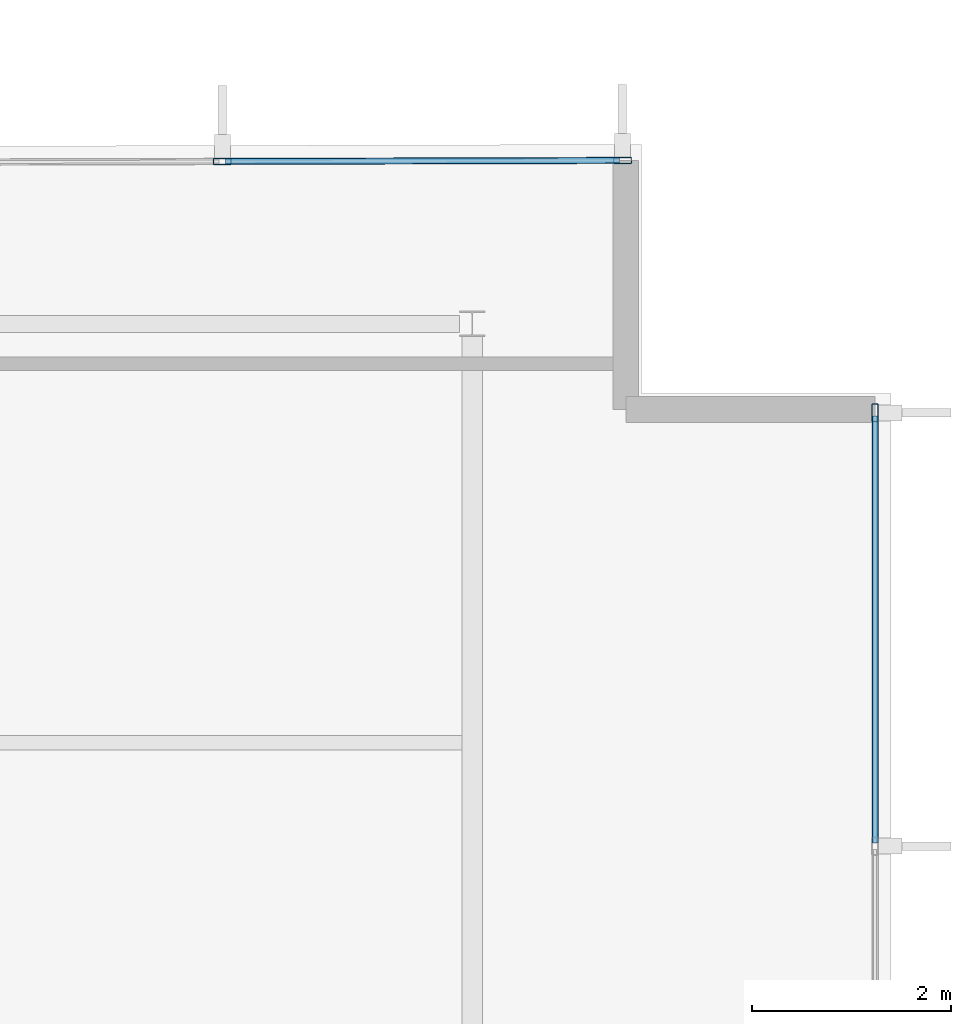
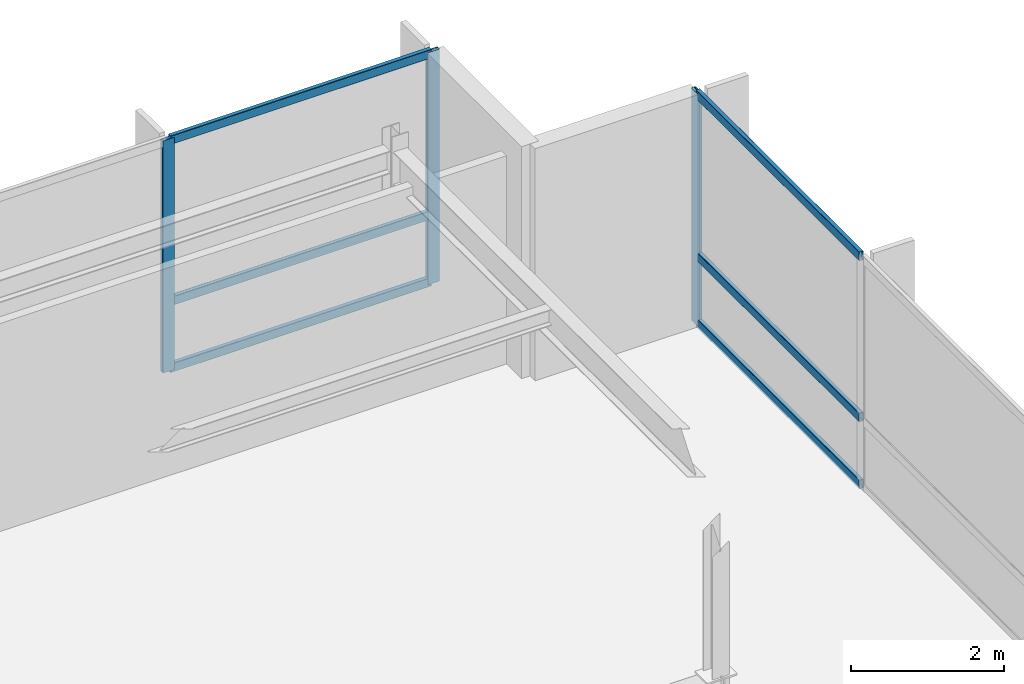
# One storey, part 11 of 19: 9 members, 2 elements without a shape of their own.
"""IFC4 building model written with IfcOpenShell, lengths in metres."""

from ifc_helpers import new_model, si_unit, direction, frame, origin, origin_2d, place, context, subcontext, project, spatial, hollow_rectangle, extrude, material, layer, layer_set, material_profile, profile_set, type_object, element, aggregate, save


model = new_model("IFC4")

# Units and contexts
model_context = context("Model", 3, precision=1e-05, world=origin(), true_north=direction((0.0, 1.0)))
body_context = subcontext(model_context, "Body", "Model", "MODEL_VIEW")
ifc_project = project(units=[si_unit("LENGTHUNIT", "METRE"), si_unit("AREAUNIT", "SQUARE_METRE"), si_unit("VOLUMEUNIT", "CUBIC_METRE"), si_unit("PLANEANGLEUNIT", "RADIAN"), si_unit("MASSUNIT", "GRAM", prefix="KILO")], contexts=[model_context])

# Site, building, storey
site_placement = place(None, origin())
site = spatial("IfcSite", under=ifc_project, at=site_placement, CompositionType="ELEMENT")
building_placement = place(site_placement, origin())
building = spatial("IfcBuilding", under=site, at=building_placement, Name="Varnakote Quay Hospital", CompositionType="ELEMENT")
storey_placement = place(building_placement, frame((0.0, 0.0, 240.75)))
storey = spatial("IfcBuildingStorey", under=building, at=storey_placement, Name="L59", CompositionType="ELEMENT", Elevation=240.75)

# Curtain wall, member
ifc_material_1 = material(Name="Anodised aluminium 6063-T6 Bronze", Category="aluminium")
ifc_layer = layer(ifc_material_1, 0.235107421875)
ifc_layer_set = layer_set([ifc_layer], Name="Anodised aluminium 6063-T6 Bronze")
curtain_wall_type = type_object("IfcCurtainWallType", Name="CW-SYS-5", PredefinedType="NOTDEFINED", material=ifc_layer_set)
curtain_wall_1_placement = place(storey_placement, origin())
curtain_wall_1 = element("IfcCurtainWall", 1, at=curtain_wall_1_placement, inside=storey, type_object=curtain_wall_type, Name="L59 Unitised Bronze Curtain Wall 1", PredefinedType="NOTDEFINED")
ifc_material_2 = material(Name="Anodised aluminium 6063-T6 Bronze", Category="aluminium")
ifc_material_profile_1 = material_profile(ifc_material_2, hollow_rectangle(XDim=0.06494140625, YDim=0.179931640625, WallThickness=0.00390625, InnerFilletRadius=0.00390625, OuterFilletRadius=0.008056640625, at=origin_2d()), Name="CW-MULL-180x65")
ifc_profile_set_1 = profile_set([ifc_material_profile_1], Name="Anodised aluminium 6063-T6 Bronze")
member_type_1 = type_object("IfcMemberType", Name="CW-MULL-180x65", PredefinedType="MULLION", material=ifc_profile_set_1)
member_1_placement = place(storey_placement, frame((46.0400390625, 27.907470703125, 0.0), z_axis=(0.0, 0.0, 1.0), x_axis=(-1.0, 0.0, 0.0)))
member_1 = element("IfcMember", 2, at=member_1_placement, type_object=member_type_1, Name="-5-L59-1 mullion 6", PredefinedType="MULLION", context=body_context, shape_type="SweptSolid", body=[
    extrude(hollow_rectangle(XDim=0.06494140625, YDim=0.179931640625, WallThickness=0.00390625, InnerFilletRadius=0.00390625, OuterFilletRadius=0.008056640625, at=origin_2d()), origin(), (0.0, 0.0, 1.0), 3.7099609375),
])

# Curtain wall, members
curtain_wall_2_placement = place(storey_placement, origin())
curtain_wall_2 = element("IfcCurtainWall", 3, at=curtain_wall_2_placement, inside=storey, type_object=curtain_wall_type, Name="L59 Unitised Bronze Curtain Wall 2", PredefinedType="NOTDEFINED")
member_2_placement = place(storey_placement, frame((43.507568359375, 30.439453125, 0.0), z_axis=(0.0, 0.0, 1.0), x_axis=(0.002604222224, -0.999996609008, 0.0)))
member_2 = element("IfcMember", 4, at=member_2_placement, type_object=member_type_1, Name="-5-L59-2 mullion 1", PredefinedType="MULLION", context=body_context, shape_type="SweptSolid", body=[
    extrude(hollow_rectangle(XDim=0.06494140625, YDim=0.179931640625, WallThickness=0.00390625, InnerFilletRadius=0.00390625, OuterFilletRadius=0.008056640625, at=origin_2d()), origin(), (0.0, 0.0, 1.0), 3.7099609375),
])
member_3_placement = place(storey_placement, frame((39.495361328125, 30.428955078125, 0.0), z_axis=(0.0, 0.0, 1.0), x_axis=(0.002604222224, -0.999996609008, 0.0)))
member_3 = element("IfcMember", 5, at=member_3_placement, type_object=member_type_1, Name="-5-L59-2 mullion 2", PredefinedType="MULLION", context=body_context, shape_type="SweptSolid", body=[
    extrude(hollow_rectangle(XDim=0.06494140625, YDim=0.179931640625, WallThickness=0.00390625, InnerFilletRadius=0.00390625, OuterFilletRadius=0.008056640625, at=origin_2d()), origin(), (0.0, 0.0, 1.0), 3.7099609375),
])

# Member
ifc_material_3 = material(Name="Anodised aluminium 6063-T6 Bronze", Category="aluminium")
ifc_material_profile_2 = material_profile(ifc_material_3, hollow_rectangle(XDim=0.06494140625, YDim=0.139892578125, WallThickness=0.00390625, InnerFilletRadius=0.00390625, OuterFilletRadius=0.007568359375, at=origin_2d()), Name="CW-TRAN-140x65")
ifc_profile_set_2 = profile_set([ifc_material_profile_2], Name="Anodised aluminium 6063-T6 Bronze")
member_type_2 = type_object("IfcMemberType", Name="CW-TRAN-140x65", PredefinedType="USERDEFINED", material=ifc_profile_set_2)
member_4_placement = place(storey_placement, frame((46.0400390625, 23.596435546875, 0.032470703125), z_axis=(0.0, 1.0, 0.0), x_axis=(-1.0, 0.0, 0.0)))
member_4 = element("IfcMember", 6, at=member_4_placement, type_object=member_type_2, Name="-5-L59-1 transom 5.1", ObjectType="TRANSOM", PredefinedType="USERDEFINED", context=body_context, shape_type="SweptSolid", body=[
    extrude(hollow_rectangle(XDim=0.06494140625, YDim=0.139892578125, WallThickness=0.00390625, InnerFilletRadius=0.00390625, OuterFilletRadius=0.007568359375, at=origin_2d()), origin(), (0.0, 0.0, 1.0), 4.278564453125),
])

member_5_placement = place(storey_placement, frame((46.0400390625, 23.596435546875, 1.10009765625), z_axis=(0.0, 1.0, 0.0), x_axis=(-1.0, 0.0, 0.0)))
member_5 = element("IfcMember", 7, at=member_5_placement, type_object=member_type_2, Name="-5-L59-1 transom 5.2", ObjectType="TRANSOM", PredefinedType="USERDEFINED", context=body_context, shape_type="SweptSolid", body=[
    extrude(hollow_rectangle(XDim=0.06494140625, YDim=0.139892578125, WallThickness=0.00390625, InnerFilletRadius=0.00390625, OuterFilletRadius=0.007568359375, at=origin_2d()), origin(), (0.0, 0.0, 1.0), 4.278564453125),
])

member_6_placement = place(storey_placement, frame((46.0400390625, 23.596435546875, 3.677490234375), z_axis=(0.0, 1.0, 0.0), x_axis=(-1.0, 0.0, 0.0)))
member_6 = element("IfcMember", 8, at=member_6_placement, type_object=member_type_2, Name="-5-L59-1 transom 5.3", ObjectType="TRANSOM", PredefinedType="USERDEFINED", context=body_context, shape_type="SweptSolid", body=[
    extrude(hollow_rectangle(XDim=0.06494140625, YDim=0.139892578125, WallThickness=0.00390625, InnerFilletRadius=0.00390625, OuterFilletRadius=0.007568359375, at=origin_2d()), origin(), (0.0, 0.0, 1.0), 4.278564453125),
])

aggregate(curtain_wall_1, [member_1, member_4, member_5, member_6])

member_7_placement = place(storey_placement, frame((43.47509765625, 30.439453125, 0.032470703125), z_axis=(-0.999996625932, -0.002597715134, 0.0), x_axis=(0.002597715134, -0.999996625932, 0.0)))
member_7 = element("IfcMember", 9, at=member_7_placement, type_object=member_type_2, Name="-5-L59-2 transom 1.1", ObjectType="TRANSOM", PredefinedType="USERDEFINED", context=body_context, shape_type="SweptSolid", body=[
    extrude(hollow_rectangle(XDim=0.06494140625, YDim=0.139892578125, WallThickness=0.00390625, InnerFilletRadius=0.00390625, OuterFilletRadius=0.007568359375, at=origin_2d()), origin(), (0.0, 0.0, 1.0), 3.947265625),
])

member_8_placement = place(storey_placement, frame((43.47509765625, 30.439453125, 1.10009765625), z_axis=(-0.999996625932, -0.002597715134, 0.0), x_axis=(0.002597715134, -0.999996625932, 0.0)))
member_8 = element("IfcMember", 10, at=member_8_placement, type_object=member_type_2, Name="-5-L59-2 transom 1.2", ObjectType="TRANSOM", PredefinedType="USERDEFINED", context=body_context, shape_type="SweptSolid", body=[
    extrude(hollow_rectangle(XDim=0.06494140625, YDim=0.139892578125, WallThickness=0.00390625, InnerFilletRadius=0.00390625, OuterFilletRadius=0.007568359375, at=origin_2d()), origin(), (0.0, 0.0, 1.0), 3.947265625),
])

member_9_placement = place(storey_placement, frame((43.47509765625, 30.439453125, 3.677490234375), z_axis=(-0.999996625932, -0.002597715134, 0.0), x_axis=(0.002597715134, -0.999996625932, 0.0)))
member_9 = element("IfcMember", 11, at=member_9_placement, type_object=member_type_2, Name="-5-L59-2 transom 1.3", ObjectType="TRANSOM", PredefinedType="USERDEFINED", context=body_context, shape_type="SweptSolid", body=[
    extrude(hollow_rectangle(XDim=0.06494140625, YDim=0.139892578125, WallThickness=0.00390625, InnerFilletRadius=0.00390625, OuterFilletRadius=0.007568359375, at=origin_2d()), origin(), (0.0, 0.0, 1.0), 3.947265625),
])

aggregate(curtain_wall_2, [member_2, member_3, member_7, member_8, member_9])

save(model, "model.ifc")
